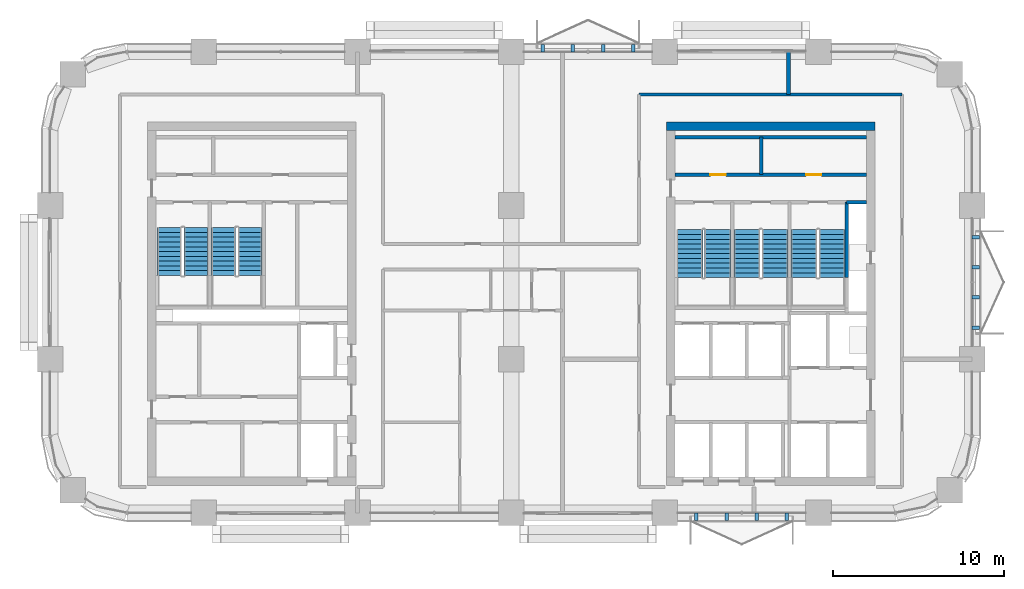
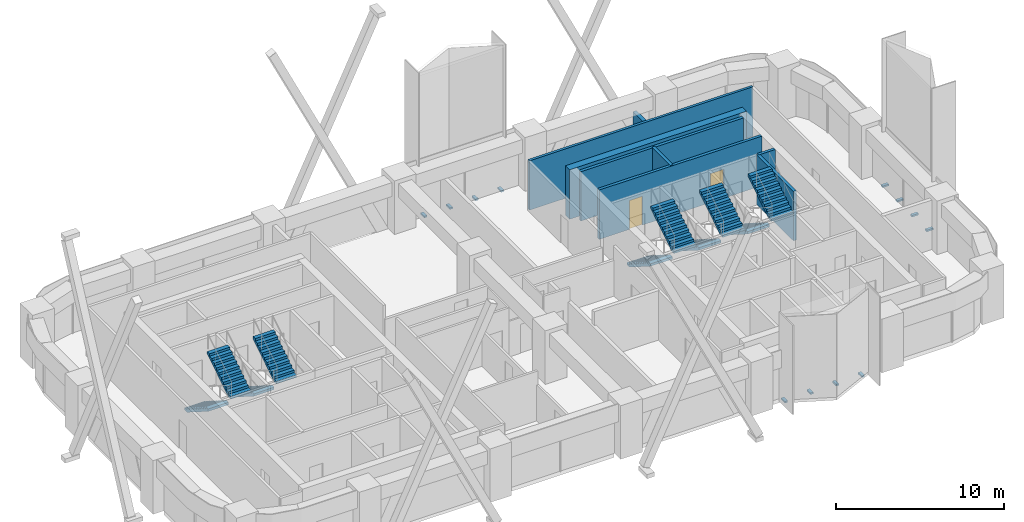
# One storey, part 12 of 14: 12 discrete accessories, 10 stair flights, 8 walls, 2 doors, 2 openings, 5 elements without a shape of their own.
"""IFC4 building model written with IfcOpenShell, lengths in metres."""

from ifc_helpers import new_model, si_unit, direction, frame, frame_2d, origin, origin_2d, place, context, subcontext, project, spatial, polyline, rectangle, outline, extrude, material, layer, layer_set, type_object, element, fill, aggregate, save


model = new_model("IFC4")

# Units and contexts
model_context = context("Model", 3, precision=1e-05, world=origin(), true_north=direction((0.0, 1.0)))
body_context = subcontext(model_context, "Body", "Model", "MODEL_VIEW")
ifc_project = project(units=[si_unit("LENGTHUNIT", "METRE"), si_unit("AREAUNIT", "SQUARE_METRE"), si_unit("VOLUMEUNIT", "CUBIC_METRE"), si_unit("PLANEANGLEUNIT", "RADIAN"), si_unit("MASSUNIT", "GRAM", prefix="KILO")], contexts=[model_context])

# Site, building, storey
site_placement = place(None, origin())
site = spatial("IfcSite", under=ifc_project, at=site_placement, CompositionType="ELEMENT")
building_placement = place(site_placement, origin())
building = spatial("IfcBuilding", under=site, at=building_placement, Name="Tessera Arch", CompositionType="ELEMENT")
storey_placement = place(building_placement, frame((0.0, 0.0, 150.5)))
storey = spatial("IfcBuildingStorey", under=building, at=storey_placement, Name="L35", CompositionType="ELEMENT", Elevation=150.5)

# Wall
ifc_material_1 = material(Name="Gypsum board on steel stud", Category="steel")
ifc_layer_1 = layer(ifc_material_1, 0.125)
ifc_layer_set_1 = layer_set([ifc_layer_1], Name="Core partition 125 EI 60")
wall_type_1 = type_object("IfcWallType", Name="Core partition 125 EI 60", PredefinedType="PARTITIONING", material=ifc_layer_set_1)
wall_1_placement = place(storey_placement, frame((41.639892578125, 46.800048828125, 0.0), z_axis=(0.0, 0.0, 1.0), x_axis=(0.0, 1.0, 0.0)))
element("IfcWall", 1, at=wall_1_placement, inside=storey, type_object=wall_type_1, Name="L35 C1 partition wall 7", PredefinedType="PARTITIONING", context=body_context, shape_type="SweptSolid", body=[
    extrude(rectangle(XDim=2.199951171875, YDim=0.199951171875, at=frame_2d((1.10009765625, 0.0))), origin(), (0.0, 0.0, 1.0), 3.60009765625),
])

# Wall, openings, doors
wall_2_placement = place(storey_placement, frame((36.60009765625, 46.800048828125, 0.0), z_axis=(0.0, 0.0, 1.0), x_axis=(1.0, 0.0, 0.0)))
wall_2 = element("IfcWall", 2, at=wall_2_placement, inside=storey, type_object=wall_type_1, Name="L35 C1 partition wall 31", PredefinedType="PARTITIONING", context=body_context, shape_type="SweptSolid", body=[
    extrude(rectangle(XDim=11.199951171875, YDim=0.199951171875, at=frame_2d((5.60009765625, 0.0))), origin(), (0.0, 0.0, 1.0), 3.60009765625),
])
opening_1_placement = place(wall_2_placement, frame((2.070068359375, 0.0, 0.0)))
opening_1 = element("IfcOpeningElement", 3, at=opening_1_placement, cuts=wall_2, Name="Opening L35-C18", PredefinedType="OPENING", context=body_context, shape_type="SweptSolid", body=[
    extrude(rectangle(XDim=0.89990234375, YDim=2.10009765625, at=frame_2d((0.449951171875, 1.050048828125))), frame((0.0, 0.10986328125, 0.0), z_axis=(0.0, -1.0, 0.0), x_axis=(1.0, 0.0, 0.0)), (0.0, 0.0, 1.0), 0.219970703125),
])
opening_2_placement = place(wall_2_placement, frame((7.669921875, 0.0, 0.0)))
opening_2 = element("IfcOpeningElement", 4, at=opening_2_placement, cuts=wall_2, Name="Opening L35-C19", PredefinedType="OPENING", context=body_context, shape_type="SweptSolid", body=[
    extrude(rectangle(XDim=0.89990234375, YDim=2.10009765625, at=frame_2d((0.449951171875, 1.050048828125))), frame((0.0, 0.10986328125, 0.0), z_axis=(0.0, -1.0, 0.0), x_axis=(1.0, 0.0, 0.0)), (0.0, 0.0, 1.0), 0.219970703125),
])
ifc_material_2 = material(Name="Steel door leaf", Category="steel")
door_type = type_object("IfcDoorType", Name="Store door FD30S 900 x 2100", OperationType="SINGLE_SWING_LEFT", PredefinedType="DOOR", material=ifc_material_2)
door_1_placement = place(opening_1_placement, origin())
door_1 = element("IfcDoor", 5, at=door_1_placement, inside=storey, type_object=door_type, Name="L35 C1 door 18 C18 type D09", OperationType="SINGLE_SWING_LEFT", OverallHeight=2.10009765625, OverallWidth=0.89990234375, PredefinedType="DOOR", context=body_context, shape_type="SweptSolid", body=[
    extrude(rectangle(XDim=0.89990234375, YDim=2.10009765625, at=frame_2d((0.449951171875, 1.050048828125))), frame((0.0, 0.02490234375, 0.0), z_axis=(0.0, -1.0, 0.0), x_axis=(1.0, 0.0, 0.0)), (0.0, 0.0, 1.0), 0.050048828125),
])
fill(opening_1, door_1)
door_2_placement = place(opening_2_placement, origin())
door_2 = element("IfcDoor", 6, at=door_2_placement, inside=storey, type_object=door_type, Name="L35 C1 door 19 C19 type D09", OperationType="SINGLE_SWING_RIGHT", OverallHeight=2.10009765625, OverallWidth=0.89990234375, PredefinedType="DOOR", context=body_context, shape_type="SweptSolid", body=[
    extrude(rectangle(XDim=0.89990234375, YDim=2.10009765625, at=frame_2d((0.449951171875, 1.050048828125))), frame((0.0, 0.02490234375, 0.0), z_axis=(0.0, -1.0, 0.0), x_axis=(1.0, 0.0, 0.0)), (0.0, 0.0, 1.0), 0.050048828125),
])
fill(opening_2, door_2)

# Walls
wall_3_placement = place(storey_placement, frame((36.60009765625, 49.0, 0.0), z_axis=(0.0, 0.0, 1.0), x_axis=(1.0, 0.0, 0.0)))
element("IfcWall", 7, at=wall_3_placement, inside=storey, type_object=wall_type_1, Name="L35 C1 partition wall 32", PredefinedType="PARTITIONING", context=body_context, shape_type="SweptSolid", body=[
    extrude(rectangle(XDim=11.199951171875, YDim=0.199951171875, at=frame_2d((5.60009765625, 0.0))), origin(), (0.0, 0.0, 1.0), 3.60009765625),
])
ifc_material_3 = material(Name="Concrete C60/75", Category="concrete")
ifc_layer_2 = layer(ifc_material_3, 0.5)
ifc_layer_set_2 = layer_set([ifc_layer_2], Name="Core shell wall 500 C60-75")
wall_type_2 = type_object("IfcWallType", Name="Core shell wall 500 C60-75", PredefinedType="SHEAR", material=ifc_layer_set_2)
wall_4_placement = place(storey_placement, frame((36.10009765625, 49.64990234375, 0.0), z_axis=(0.0, 0.0, 1.0), x_axis=(1.0, 0.0, 0.0)))
element("IfcWall", 8, at=wall_4_placement, inside=storey, type_object=wall_type_2, Name="L35 C1 core wall N", PredefinedType="SHEAR", context=body_context, shape_type="SweptSolid", body=[
    extrude(rectangle(XDim=12.199951171875, YDim=0.5, at=frame_2d((6.10009765625, 0.0))), origin(), (0.0, 0.0, 1.0), 3.60009765625),
])
ifc_material_4 = material(Name="Gypsum board on deep steel stud with mineral wool", Category="steel")
ifc_layer_3 = layer(ifc_material_4, 0.175048828125)
ifc_layer_set_3 = layer_set([ifc_layer_3], Name="Corridor wall 175 EI 60")
wall_type_3 = type_object("IfcWallType", Name="Corridor wall 175 EI 60", PredefinedType="PARTITIONING", material=ifc_layer_set_3)
wall_5_placement = place(storey_placement, frame((34.5, 51.5, 0.0), z_axis=(0.0, 0.0, 1.0), x_axis=(1.0, 0.0, 0.0)))
element("IfcWall", 9, at=wall_5_placement, inside=storey, type_object=wall_type_3, Name="L35 partition 8", PredefinedType="PARTITIONING", context=body_context, shape_type="SweptSolid", body=[
    extrude(rectangle(XDim=15.39990234375, YDim=0.175048828125, at=frame_2d((7.699951171875, 0.0))), origin(), (0.0, 0.0, 1.0), 3.60009765625),
])
ifc_material_5 = material(Name="Double gypsum board on twin steel stud with acoustic mineral wool", Category="steel")
ifc_layer_4 = layer(ifc_material_5, 0.25)
ifc_layer_set_4 = layer_set([ifc_layer_4], Name="Party wall 250 EI 60")
wall_type_4 = type_object("IfcWallType", Name="Party wall 250 EI 60", PredefinedType="PARTITIONING", material=ifc_layer_set_4)
wall_6_placement = place(storey_placement, frame((43.241943359375, 51.5, 0.0), z_axis=(0.0, 0.0, 1.0), x_axis=(0.0, 1.0, 0.0)))
element("IfcWall", 10, at=wall_6_placement, inside=storey, type_object=wall_type_4, Name="L35 partition 26", PredefinedType="PARTITIONING", context=body_context, shape_type="SweptSolid", body=[
    extrude(rectangle(XDim=2.5, YDim=0.25, at=frame_2d((1.25, 0.0))), origin(), (0.0, 0.0, 1.0), 2.60009765625),
])
ifc_material_6 = material(Name="Concrete C40/50", Category="concrete")
ifc_layer_5 = layer(ifc_material_6, 0.199951171875)
ifc_layer_set_5 = layer_set([ifc_layer_5], Name="Shaft wall 200 EI 120")
wall_type_5 = type_object("IfcWallType", Name="Shaft wall 200 EI 120", PredefinedType="SOLIDWALL", material=ifc_layer_set_5)
wall_7_placement = place(storey_placement, frame((46.64990234375, 45.199951171875, 0.0), z_axis=(0.0, 0.0, 1.0), x_axis=(1.0, 0.0, 0.0)))
element("IfcWall", 11, at=wall_7_placement, inside=storey, type_object=wall_type_5, Name="L35 C1 shaft wall 29", PredefinedType="SOLIDWALL", context=body_context, shape_type="SweptSolid", body=[
    extrude(rectangle(XDim=1.150146484375, YDim=0.199951171875, at=frame_2d((0.5751953125, 0.0))), origin(), (0.0, 0.0, 1.0), 3.60009765625),
])
ifc_material_7 = material(Name="Concrete C40/50", Category="concrete")
ifc_layer_6 = layer(ifc_material_7, 0.199951171875)
ifc_layer_set_6 = layer_set([ifc_layer_6], Name="Stair well wall 200 REI 180")
wall_type_6 = type_object("IfcWallType", Name="Stair well wall 200 REI 180", PredefinedType="SOLIDWALL", material=ifc_layer_set_6)
wall_8_placement = place(storey_placement, frame((46.64990234375, 40.780029296875, 0.0), z_axis=(0.0, 0.0, 1.0), x_axis=(0.0, 1.0, 0.0)))
element("IfcWall", 12, at=wall_8_placement, inside=storey, type_object=wall_type_6, Name="L35 C1 shaft wall 17", PredefinedType="SOLIDWALL", context=body_context, shape_type="SweptSolid", body=[
    extrude(rectangle(XDim=4.419921875, YDim=0.199951171875, at=frame_2d((2.2099609375, 0.0))), origin(), (0.0, 0.0, 1.0), 3.60009765625),
])

# Stair, stair flights
ifc_material_8 = material(Name="Concrete C40/50", Category="concrete")
stair_type_1 = type_object("IfcStairType", Name="Dogleg stair 1400", PredefinedType="HALF_TURN_STAIR", material=ifc_material_8)
stair_1_placement = place(storey_placement, origin())
stair_1 = element("IfcStair", 13, at=stair_1_placement, inside=storey, type_object=stair_type_1, Name="L35 S2a", PredefinedType="HALF_TURN_STAIR")
ifc_material_9 = material(Name="Concrete C40/50", Category="concrete")
stair_flight_type_1 = type_object("IfcStairFlightType", Name="Stair flight 1400", PredefinedType="STRAIGHT", material=ifc_material_9)
stair_flight_1_placement = place(storey_placement, frame((7.0, 43.699951171875, 0.0), z_axis=(0.0, 0.0, 1.0), x_axis=(0.0, -1.0, 0.0)))
stair_flight_1 = element("IfcStairFlight", 14, at=stair_flight_1_placement, type_object=stair_flight_type_1, Name="S2a flight 1", NumberOfRisers=11, NumberOfTreads=10, PredefinedType="STRAIGHT", RiserHeight=0.177272727, TreadLength=0.28, context=body_context, shape_type="SweptSolid", body=[
    extrude(outline(polyline([(0.0, 0.0), (0.0, 0.17724609375), (0.280029296875, 0.17724609375), (0.280029296875, 0.3544921875), (0.56005859375, 0.3544921875), (0.56005859375, 0.53173828125), (0.840087890625, 0.53173828125), (0.840087890625, 0.708984375), (1.1201171875, 0.708984375), (1.1201171875, 0.886474609375), (1.39990234375, 0.886474609375), (1.39990234375, 1.063720703125), (1.679931640625, 1.063720703125), (1.679931640625, 1.240966796875), (1.9599609375, 1.240966796875), (1.9599609375, 1.418212890625), (2.239990234375, 1.418212890625), (2.239990234375, 1.595458984375), (2.52001953125, 1.595458984375), (2.52001953125, 1.772705078125), (2.800048828125, 1.772705078125), (2.800048828125, 1.949951171875), (2.800048828125, 1.59521484375), (0.2802734375, 0.0), (0.0, 0.0)])), frame((0.0, 0.699951171875, 0.0), z_axis=(0.0, -1.0, 0.0), x_axis=(1.0, 0.0, 0.0)), (0.0, 0.0, 1.0), 1.39990234375),
])
stair_flight_2_placement = place(storey_placement, frame((8.550048828125, 40.89990234375, 1.949951171875), z_axis=(0.0, 0.0, 1.0), x_axis=(0.0, 1.0, 0.0)))
stair_flight_2 = element("IfcStairFlight", 15, at=stair_flight_2_placement, type_object=stair_flight_type_1, Name="S2a flight 2", NumberOfRisers=11, NumberOfTreads=10, PredefinedType="STRAIGHT", RiserHeight=0.177272727, TreadLength=0.28, context=body_context, shape_type="SweptSolid", body=[
    extrude(outline(polyline([(0.0, 0.0), (0.0, 0.17724609375), (0.280029296875, 0.17724609375), (0.280029296875, 0.3544921875), (0.56005859375, 0.3544921875), (0.56005859375, 0.53173828125), (0.840087890625, 0.53173828125), (0.840087890625, 0.708984375), (1.1201171875, 0.708984375), (1.1201171875, 0.886474609375), (1.39990234375, 0.886474609375), (1.39990234375, 1.063720703125), (1.679931640625, 1.063720703125), (1.679931640625, 1.240966796875), (1.9599609375, 1.240966796875), (1.9599609375, 1.418212890625), (2.239990234375, 1.418212890625), (2.239990234375, 1.595458984375), (2.52001953125, 1.595458984375), (2.52001953125, 1.772705078125), (2.800048828125, 1.772705078125), (2.800048828125, 1.949951171875), (2.800048828125, 1.59521484375), (0.2802734375, 0.0), (0.0, 0.0)])), frame((0.0, 0.699951171875, 0.0), z_axis=(0.0, -1.0, 0.0), x_axis=(1.0, 0.0, 0.0)), (0.0, 0.0, 1.0), 1.39990234375),
])
aggregate(stair_1, [stair_flight_1, stair_flight_2])

stair_2_placement = place(storey_placement, origin())
stair_2 = element("IfcStair", 16, at=stair_2_placement, inside=storey, type_object=stair_type_1, Name="L35 S2b", PredefinedType="HALF_TURN_STAIR")
stair_flight_3_placement = place(storey_placement, frame((10.14990234375, 43.699951171875, 0.0), z_axis=(0.0, 0.0, 1.0), x_axis=(0.0, -1.0, 0.0)))
stair_flight_3 = element("IfcStairFlight", 17, at=stair_flight_3_placement, type_object=stair_flight_type_1, Name="S2b flight 1", NumberOfRisers=11, NumberOfTreads=10, PredefinedType="STRAIGHT", RiserHeight=0.177272727, TreadLength=0.28, context=body_context, shape_type="SweptSolid", body=[
    extrude(outline(polyline([(0.0, 0.0), (0.0, 0.17724609375), (0.280029296875, 0.17724609375), (0.280029296875, 0.3544921875), (0.56005859375, 0.3544921875), (0.56005859375, 0.53173828125), (0.840087890625, 0.53173828125), (0.840087890625, 0.708984375), (1.1201171875, 0.708984375), (1.1201171875, 0.886474609375), (1.39990234375, 0.886474609375), (1.39990234375, 1.063720703125), (1.679931640625, 1.063720703125), (1.679931640625, 1.240966796875), (1.9599609375, 1.240966796875), (1.9599609375, 1.418212890625), (2.239990234375, 1.418212890625), (2.239990234375, 1.595458984375), (2.52001953125, 1.595458984375), (2.52001953125, 1.772705078125), (2.800048828125, 1.772705078125), (2.800048828125, 1.949951171875), (2.800048828125, 1.59521484375), (0.2802734375, 0.0), (0.0, 0.0)])), frame((0.0, 0.699951171875, 0.0), z_axis=(0.0, -1.0, 0.0), x_axis=(1.0, 0.0, 0.0)), (0.0, 0.0, 1.0), 1.39990234375),
])
stair_flight_4_placement = place(storey_placement, frame((11.699951171875, 40.89990234375, 1.949951171875), z_axis=(0.0, 0.0, 1.0), x_axis=(0.0, 1.0, 0.0)))
stair_flight_4 = element("IfcStairFlight", 18, at=stair_flight_4_placement, type_object=stair_flight_type_1, Name="S2b flight 2", NumberOfRisers=11, NumberOfTreads=10, PredefinedType="STRAIGHT", RiserHeight=0.177272727, TreadLength=0.28, context=body_context, shape_type="SweptSolid", body=[
    extrude(outline(polyline([(0.0, 0.0), (0.0, 0.17724609375), (0.280029296875, 0.17724609375), (0.280029296875, 0.3544921875), (0.56005859375, 0.3544921875), (0.56005859375, 0.53173828125), (0.840087890625, 0.53173828125), (0.840087890625, 0.708984375), (1.1201171875, 0.708984375), (1.1201171875, 0.886474609375), (1.39990234375, 0.886474609375), (1.39990234375, 1.063720703125), (1.679931640625, 1.063720703125), (1.679931640625, 1.240966796875), (1.9599609375, 1.240966796875), (1.9599609375, 1.418212890625), (2.239990234375, 1.418212890625), (2.239990234375, 1.595458984375), (2.52001953125, 1.595458984375), (2.52001953125, 1.772705078125), (2.800048828125, 1.772705078125), (2.800048828125, 1.949951171875), (2.800048828125, 1.59521484375), (0.2802734375, 0.0), (0.0, 0.0)])), frame((0.0, 0.699951171875, 0.0), z_axis=(0.0, -1.0, 0.0), x_axis=(1.0, 0.0, 0.0)), (0.0, 0.0, 1.0), 1.39990234375),
])
aggregate(stair_2, [stair_flight_3, stair_flight_4])

ifc_material_10 = material(Name="Concrete C40/50", Category="concrete")
stair_type_2 = type_object("IfcStairType", Name="Dogleg stair 1520", PredefinedType="HALF_TURN_STAIR", material=ifc_material_10)
stair_3_placement = place(storey_placement, origin())
stair_3 = element("IfcStair", 19, at=stair_3_placement, inside=storey, type_object=stair_type_2, Name="L35 S1a", PredefinedType="HALF_TURN_STAIR")
ifc_material_11 = material(Name="Concrete C40/50", Category="concrete")
stair_flight_type_2 = type_object("IfcStairFlightType", Name="Stair flight 1520", PredefinedType="STRAIGHT", material=ifc_material_11)
stair_flight_5_placement = place(storey_placement, frame((37.4599609375, 43.580078125, 0.0), z_axis=(0.0, 0.0, 1.0), x_axis=(0.0, -1.0, 0.0)))
stair_flight_5 = element("IfcStairFlight", 20, at=stair_flight_5_placement, type_object=stair_flight_type_2, Name="S1a flight 1", NumberOfRisers=11, NumberOfTreads=10, PredefinedType="STRAIGHT", RiserHeight=0.177272727, TreadLength=0.28, context=body_context, shape_type="SweptSolid", body=[
    extrude(outline(polyline([(0.0, 0.0), (0.0, 0.17724609375), (0.280029296875, 0.17724609375), (0.280029296875, 0.3544921875), (0.56005859375, 0.3544921875), (0.56005859375, 0.53173828125), (0.840087890625, 0.53173828125), (0.840087890625, 0.708984375), (1.1201171875, 0.708984375), (1.1201171875, 0.886474609375), (1.39990234375, 0.886474609375), (1.39990234375, 1.063720703125), (1.679931640625, 1.063720703125), (1.679931640625, 1.240966796875), (1.9599609375, 1.240966796875), (1.9599609375, 1.418212890625), (2.239990234375, 1.418212890625), (2.239990234375, 1.595458984375), (2.52001953125, 1.595458984375), (2.52001953125, 1.772705078125), (2.800048828125, 1.772705078125), (2.800048828125, 1.949951171875), (2.800048828125, 1.59521484375), (0.2802734375, 0.0), (0.0, 0.0)])), frame((0.0, 0.760009765625, 0.0), z_axis=(0.0, -1.0, 0.0), x_axis=(1.0, 0.0, 0.0)), (0.0, 0.0, 1.0), 1.52001953125),
])
stair_flight_6_placement = place(storey_placement, frame((39.090087890625, 40.780029296875, 1.949951171875), z_axis=(0.0, 0.0, 1.0), x_axis=(0.0, 1.0, 0.0)))
stair_flight_6 = element("IfcStairFlight", 21, at=stair_flight_6_placement, type_object=stair_flight_type_2, Name="S1a flight 2", NumberOfRisers=11, NumberOfTreads=10, PredefinedType="STRAIGHT", RiserHeight=0.177272727, TreadLength=0.28, context=body_context, shape_type="SweptSolid", body=[
    extrude(outline(polyline([(0.0, 0.0), (0.0, 0.17724609375), (0.280029296875, 0.17724609375), (0.280029296875, 0.3544921875), (0.56005859375, 0.3544921875), (0.56005859375, 0.53173828125), (0.840087890625, 0.53173828125), (0.840087890625, 0.708984375), (1.1201171875, 0.708984375), (1.1201171875, 0.886474609375), (1.39990234375, 0.886474609375), (1.39990234375, 1.063720703125), (1.679931640625, 1.063720703125), (1.679931640625, 1.240966796875), (1.9599609375, 1.240966796875), (1.9599609375, 1.418212890625), (2.239990234375, 1.418212890625), (2.239990234375, 1.595458984375), (2.52001953125, 1.595458984375), (2.52001953125, 1.772705078125), (2.800048828125, 1.772705078125), (2.800048828125, 1.949951171875), (2.800048828125, 1.59521484375), (0.2802734375, 0.0), (0.0, 0.0)])), frame((0.0, 0.760009765625, 0.0), z_axis=(0.0, -1.0, 0.0), x_axis=(1.0, 0.0, 0.0)), (0.0, 0.0, 1.0), 1.52001953125),
])
aggregate(stair_3, [stair_flight_5, stair_flight_6])

stair_4_placement = place(storey_placement, origin())
stair_4 = element("IfcStair", 22, at=stair_4_placement, inside=storey, type_object=stair_type_2, Name="L35 S1b", PredefinedType="HALF_TURN_STAIR")
stair_flight_7_placement = place(storey_placement, frame((40.81005859375, 43.580078125, 0.0), z_axis=(0.0, 0.0, 1.0), x_axis=(0.0, -1.0, 0.0)))
stair_flight_7 = element("IfcStairFlight", 23, at=stair_flight_7_placement, type_object=stair_flight_type_2, Name="S1b flight 1", NumberOfRisers=11, NumberOfTreads=10, PredefinedType="STRAIGHT", RiserHeight=0.177272727, TreadLength=0.28, context=body_context, shape_type="SweptSolid", body=[
    extrude(outline(polyline([(0.0, 0.0), (0.0, 0.17724609375), (0.280029296875, 0.17724609375), (0.280029296875, 0.3544921875), (0.56005859375, 0.3544921875), (0.56005859375, 0.53173828125), (0.840087890625, 0.53173828125), (0.840087890625, 0.708984375), (1.1201171875, 0.708984375), (1.1201171875, 0.886474609375), (1.39990234375, 0.886474609375), (1.39990234375, 1.063720703125), (1.679931640625, 1.063720703125), (1.679931640625, 1.240966796875), (1.9599609375, 1.240966796875), (1.9599609375, 1.418212890625), (2.239990234375, 1.418212890625), (2.239990234375, 1.595458984375), (2.52001953125, 1.595458984375), (2.52001953125, 1.772705078125), (2.800048828125, 1.772705078125), (2.800048828125, 1.949951171875), (2.800048828125, 1.59521484375), (0.2802734375, 0.0), (0.0, 0.0)])), frame((0.0, 0.760009765625, 0.0), z_axis=(0.0, -1.0, 0.0), x_axis=(1.0, 0.0, 0.0)), (0.0, 0.0, 1.0), 1.52001953125),
])
stair_flight_8_placement = place(storey_placement, frame((42.43994140625, 40.780029296875, 1.949951171875), z_axis=(0.0, 0.0, 1.0), x_axis=(0.0, 1.0, 0.0)))
stair_flight_8 = element("IfcStairFlight", 24, at=stair_flight_8_placement, type_object=stair_flight_type_2, Name="S1b flight 2", NumberOfRisers=11, NumberOfTreads=10, PredefinedType="STRAIGHT", RiserHeight=0.177272727, TreadLength=0.28, context=body_context, shape_type="SweptSolid", body=[
    extrude(outline(polyline([(0.0, 0.0), (0.0, 0.17724609375), (0.280029296875, 0.17724609375), (0.280029296875, 0.3544921875), (0.56005859375, 0.3544921875), (0.56005859375, 0.53173828125), (0.840087890625, 0.53173828125), (0.840087890625, 0.708984375), (1.1201171875, 0.708984375), (1.1201171875, 0.886474609375), (1.39990234375, 0.886474609375), (1.39990234375, 1.063720703125), (1.679931640625, 1.063720703125), (1.679931640625, 1.240966796875), (1.9599609375, 1.240966796875), (1.9599609375, 1.418212890625), (2.239990234375, 1.418212890625), (2.239990234375, 1.595458984375), (2.52001953125, 1.595458984375), (2.52001953125, 1.772705078125), (2.800048828125, 1.772705078125), (2.800048828125, 1.949951171875), (2.800048828125, 1.59521484375), (0.2802734375, 0.0), (0.0, 0.0)])), frame((0.0, 0.760009765625, 0.0), z_axis=(0.0, -1.0, 0.0), x_axis=(1.0, 0.0, 0.0)), (0.0, 0.0, 1.0), 1.52001953125),
])
aggregate(stair_4, [stair_flight_7, stair_flight_8])

stair_5_placement = place(storey_placement, origin())
stair_5 = element("IfcStair", 25, at=stair_5_placement, inside=storey, type_object=stair_type_2, Name="L35 S1c", PredefinedType="HALF_TURN_STAIR")
stair_flight_9_placement = place(storey_placement, frame((44.159912109375, 43.580078125, 0.0), z_axis=(0.0, 0.0, 1.0), x_axis=(0.0, -1.0, 0.0)))
stair_flight_9 = element("IfcStairFlight", 26, at=stair_flight_9_placement, type_object=stair_flight_type_2, Name="S1c flight 1", NumberOfRisers=11, NumberOfTreads=10, PredefinedType="STRAIGHT", RiserHeight=0.177272727, TreadLength=0.28, context=body_context, shape_type="SweptSolid", body=[
    extrude(outline(polyline([(0.0, 0.0), (0.0, 0.17724609375), (0.280029296875, 0.17724609375), (0.280029296875, 0.3544921875), (0.56005859375, 0.3544921875), (0.56005859375, 0.53173828125), (0.840087890625, 0.53173828125), (0.840087890625, 0.708984375), (1.1201171875, 0.708984375), (1.1201171875, 0.886474609375), (1.39990234375, 0.886474609375), (1.39990234375, 1.063720703125), (1.679931640625, 1.063720703125), (1.679931640625, 1.240966796875), (1.9599609375, 1.240966796875), (1.9599609375, 1.418212890625), (2.239990234375, 1.418212890625), (2.239990234375, 1.595458984375), (2.52001953125, 1.595458984375), (2.52001953125, 1.772705078125), (2.800048828125, 1.772705078125), (2.800048828125, 1.949951171875), (2.800048828125, 1.59521484375), (0.2802734375, 0.0), (0.0, 0.0)])), frame((0.0, 0.760009765625, 0.0), z_axis=(0.0, -1.0, 0.0), x_axis=(1.0, 0.0, 0.0)), (0.0, 0.0, 1.0), 1.52001953125),
])
stair_flight_10_placement = place(storey_placement, frame((45.7900390625, 40.780029296875, 1.949951171875), z_axis=(0.0, 0.0, 1.0), x_axis=(0.0, 1.0, 0.0)))
stair_flight_10 = element("IfcStairFlight", 27, at=stair_flight_10_placement, type_object=stair_flight_type_2, Name="S1c flight 2", NumberOfRisers=11, NumberOfTreads=10, PredefinedType="STRAIGHT", RiserHeight=0.177272727, TreadLength=0.28, context=body_context, shape_type="SweptSolid", body=[
    extrude(outline(polyline([(0.0, 0.0), (0.0, 0.17724609375), (0.280029296875, 0.17724609375), (0.280029296875, 0.3544921875), (0.56005859375, 0.3544921875), (0.56005859375, 0.53173828125), (0.840087890625, 0.53173828125), (0.840087890625, 0.708984375), (1.1201171875, 0.708984375), (1.1201171875, 0.886474609375), (1.39990234375, 0.886474609375), (1.39990234375, 1.063720703125), (1.679931640625, 1.063720703125), (1.679931640625, 1.240966796875), (1.9599609375, 1.240966796875), (1.9599609375, 1.418212890625), (2.239990234375, 1.418212890625), (2.239990234375, 1.595458984375), (2.52001953125, 1.595458984375), (2.52001953125, 1.772705078125), (2.800048828125, 1.772705078125), (2.800048828125, 1.949951171875), (2.800048828125, 1.59521484375), (0.2802734375, 0.0), (0.0, 0.0)])), frame((0.0, 0.760009765625, 0.0), z_axis=(0.0, -1.0, 0.0), x_axis=(1.0, 0.0, 0.0)), (0.0, 0.0, 1.0), 1.52001953125),
])
aggregate(stair_5, [stair_flight_9, stair_flight_10])

# Discrete accessories
for number, where, z_axis, x_axis, name in (
    (28, (54.219970703125, 37.85009765625, -0.1201171875), (0.0, 0.0, 1.0), (1.0, 0.0, 0.0), "Window box bracket"),
    (29, (54.219970703125, 39.61669921875, -0.1201171875), (0.0, 0.0, 1.0), (1.0, 0.0, 0.0), "Window box bracket"),
    (30, (54.219970703125, 41.38330078125, -0.1201171875), (0.0, 0.0, 1.0), (1.0, 0.0, 0.0), "Window box bracket"),
    (31, (54.219970703125, 43.14990234375, -0.1201171875), (0.0, 0.0, 1.0), (1.0, 0.0, 0.0), "Window box bracket"),
    (32, (34.14990234375, 54.219970703125, -0.1201171875), (0.0, 0.0, 1.0), (0.0, 1.0, 0.0), "Window box bracket"),
    (33, (32.38330078125, 54.219970703125, -0.1201171875), (0.0, 0.0, 1.0), (0.0, 1.0, 0.0), "Window box bracket"),
    (34, (30.61669921875, 54.219970703125, -0.1201171875), (0.0, 0.0, 1.0), (0.0, 1.0, 0.0), "Window box bracket"),
    (35, (28.85009765625, 54.219970703125, -0.1201171875), (0.0, 0.0, 1.0), (0.0, 1.0, 0.0), "Window box bracket"),
    (36, (37.85009765625, 26.780029296875, -0.1201171875), (0.0, 0.0, 1.0), (0.0, -1.0, 0.0), "Window box bracket"),
    (37, (39.61669921875, 26.780029296875, -0.1201171875), (0.0, 0.0, 1.0), (0.0, -1.0, 0.0), "Window box bracket"),
    (38, (41.38330078125, 26.780029296875, -0.1201171875), (0.0, 0.0, 1.0), (0.0, -1.0, 0.0), "Window box bracket"),
    (39, (43.14990234375, 26.780029296875, -0.1201171875), (0.0, 0.0, 1.0), (0.0, -1.0, 0.0), "Window box bracket"),
):
    element("IfcDiscreteAccessory", number, at=place(storey_placement, frame(where, z_axis=z_axis, x_axis=x_axis)), inside=storey, Name=name, PredefinedType="BRACKET", context=body_context, shape_type="SweptSolid", body=[
        extrude(rectangle(XDim=0.43994140625, YDim=0.199951171875, at=origin_2d()), origin(), (0.0, 0.0, 1.0), 0.1201171875),
    ])

save(model, "model.ifc")
